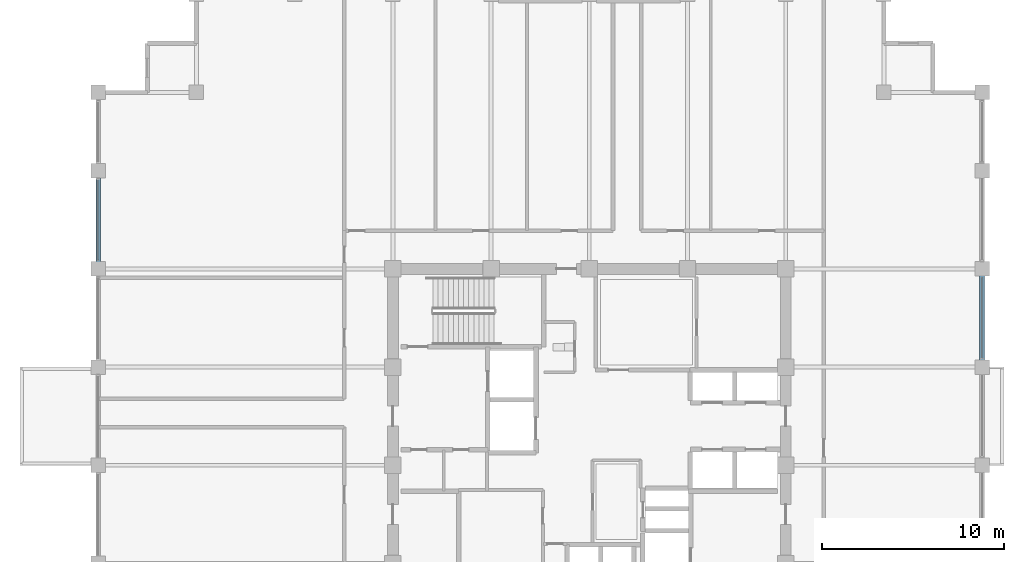
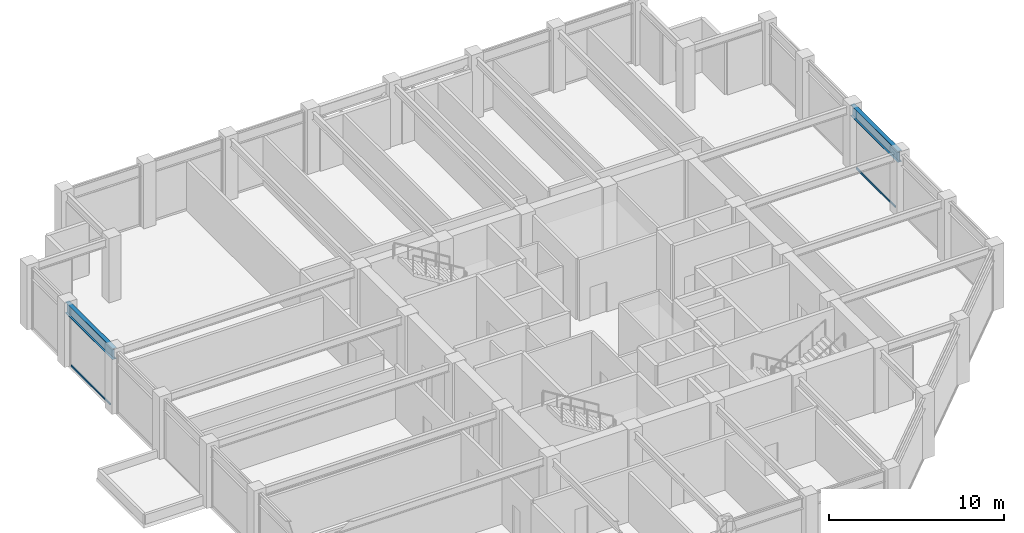
# One storey, part 13 of 28: 2 beams, 2 members, 2 elements without a shape of their own.
"""IFC4 building model written with IfcOpenShell, lengths in metres."""

from ifc_helpers import new_model, si_unit, direction, frame, origin, origin_2d, place, context, subcontext, project, spatial, hollow_rectangle, i_section, extrude, material, layer, layer_set, material_profile, profile_set, type_object, element, aggregate, save


model = new_model("IFC4")

# Units and contexts
model_context = context("Model", 3, precision=1e-05, world=origin(), true_north=direction((0.0, 1.0)))
body_context = subcontext(model_context, "Body", "Model", "MODEL_VIEW")
ifc_project = project(units=[si_unit("LENGTHUNIT", "METRE"), si_unit("AREAUNIT", "SQUARE_METRE"), si_unit("VOLUMEUNIT", "CUBIC_METRE"), si_unit("PLANEANGLEUNIT", "RADIAN"), si_unit("MASSUNIT", "GRAM", prefix="KILO")], contexts=[model_context])

# Site, building, storey
site_placement = place(None, origin())
site = spatial("IfcSite", under=ifc_project, at=site_placement, CompositionType="ELEMENT")
building_placement = place(site_placement, origin())
building = spatial("IfcBuilding", under=site, at=building_placement, Name="Surkhivell Harbour Commons", CompositionType="ELEMENT")
storey_placement = place(building_placement, frame((0.0, 0.0, 249.75)))
storey = spatial("IfcBuildingStorey", under=building, at=storey_placement, Name="L65", CompositionType="ELEMENT", Elevation=249.75)

# Beams
ifc_material_1 = material(Name="Steel S355", Category="steel")
ifc_material_profile_1 = material_profile(ifc_material_1, i_section(OverallWidth=0.26806640625, OverallDepth=0.77001953125, WebThickness=0.015625, FlangeThickness=0.025390625, at=origin_2d()), Name="UB762x267x197")
ifc_profile_set_1 = profile_set([ifc_material_profile_1], Name="Steel S355")
beam_type = type_object("IfcBeamType", Name="BM-SPN-762", PredefinedType="SPANDREL", material=ifc_profile_set_1)
beam_1_placement = place(storey_placement, frame((-27.0, 10.800048828125, 3.864990234375), z_axis=(0.0, 1.0, 0.0), x_axis=(-1.0, 0.0, 0.0)))
element("IfcBeam", 1, at=beam_1_placement, inside=storey, type_object=beam_type, Name="L65 Tube Spandrel (-27.0,10.8)", PredefinedType="SPANDREL", context=body_context, shape_type="SweptSolid", body=[
    extrude(i_section(OverallWidth=0.26806640625, OverallDepth=0.77001953125, WebThickness=0.015625, FlangeThickness=0.025390625, at=origin_2d()), origin(), (0.0, 0.0, 1.0), 5.39990234375),
])
beam_2_placement = place(storey_placement, frame((21.60009765625, 5.39990234375, 3.864990234375), z_axis=(0.0, 1.0, 0.0), x_axis=(-1.0, 0.0, 0.0)))
element("IfcBeam", 2, at=beam_2_placement, inside=storey, type_object=beam_type, Name="L65 Tube Spandrel (21.6,5.4)", PredefinedType="SPANDREL", context=body_context, shape_type="SweptSolid", body=[
    extrude(i_section(OverallWidth=0.26806640625, OverallDepth=0.77001953125, WebThickness=0.015625, FlangeThickness=0.025390625, at=origin_2d()), origin(), (0.0, 0.0, 1.0), 5.400146484375),
])

# Curtain wall, member
ifc_material_2 = material(Name="Anodised pale-metal aluminium and insulated glazing", Category="aluminium")
ifc_layer = layer(ifc_material_2, 0.18994140625)
ifc_layer_set = layer_set([ifc_layer], Name="Anodised pale-metal aluminium and insulated glazing")
curtain_wall_type = type_object("IfcCurtainWallType", Name="CW-SYS-Z3", PredefinedType="NOTDEFINED", material=ifc_layer_set)
curtain_wall_1_placement = place(storey_placement, origin())
curtain_wall_1 = element("IfcCurtainWall", 3, at=curtain_wall_1_placement, inside=storey, type_object=curtain_wall_type, Name="L65 Curtain Wall CW-L65-E02", PredefinedType="NOTDEFINED")
ifc_material_3 = material(Name="Champagne anodised aluminium alloy 6063-T6", Category="aluminium")
ifc_material_profile_2 = material_profile(ifc_material_3, hollow_rectangle(XDim=0.070068359375, YDim=0.1298828125, WallThickness=0.00341796875, at=origin_2d()), Name="ALU-TRAN-70x130")
ifc_profile_set_2 = profile_set([ifc_material_profile_2], Name="Champagne anodised aluminium alloy 6063-T6")
member_type = type_object("IfcMemberType", Name="CWT-130", PredefinedType="USERDEFINED", material=ifc_profile_set_2)
member_1_placement = place(storey_placement, frame((21.60009765625, 5.876953125, 0.06494140625), z_axis=(0.0, 1.0, 0.0), x_axis=(-1.0, 0.0, 0.0)))
member_1 = element("IfcMember", 4, at=member_1_placement, type_object=member_type, Name="CW-Z3 transom 3.1", ObjectType="TRANSOM", PredefinedType="USERDEFINED", context=body_context, shape_type="SweptSolid", body=[
    extrude(hollow_rectangle(XDim=0.070068359375, YDim=0.1298828125, WallThickness=0.00341796875, at=origin_2d()), origin(), (0.0, 0.0, 1.0), 4.446044921875),
])
aggregate(curtain_wall_1, [member_1])

curtain_wall_2_placement = place(storey_placement, origin())
curtain_wall_2 = element("IfcCurtainWall", 5, at=curtain_wall_2_placement, inside=storey, type_object=curtain_wall_type, Name="L65 Curtain Wall CW-L65-E12S1", PredefinedType="NOTDEFINED")
member_2_placement = place(storey_placement, frame((-27.0, 15.722900390625, 0.06494140625), z_axis=(0.0, -1.0, 0.0), x_axis=(1.0, 0.0, 0.0)))
member_2 = element("IfcMember", 6, at=member_2_placement, type_object=member_type, Name="CW-Z3 transom 2.1", ObjectType="TRANSOM", PredefinedType="USERDEFINED", context=body_context, shape_type="SweptSolid", body=[
    extrude(hollow_rectangle(XDim=0.070068359375, YDim=0.1298828125, WallThickness=0.00341796875, at=origin_2d()), origin(), (0.0, 0.0, 1.0), 4.44580078125),
])
aggregate(curtain_wall_2, [member_2])

save(model, "model.ifc")
